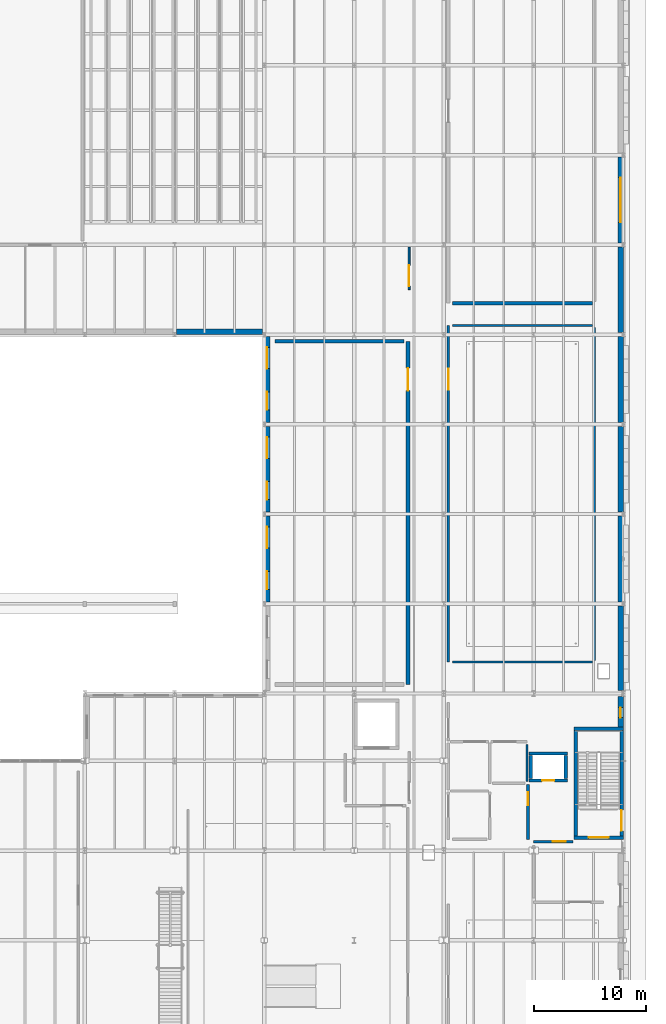
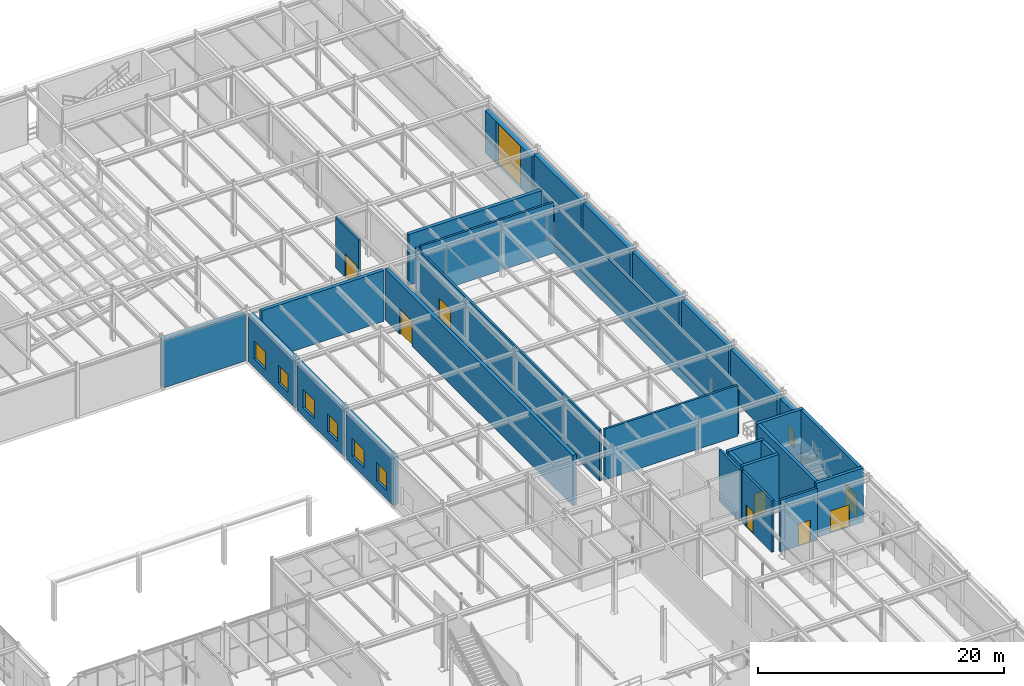
# One storey, part 86 of 129: 30 walls, 9 doors, 7 windows, 16 openings.
"""IFC4 building model written with IfcOpenShell, lengths in metres."""

from ifc_helpers import new_model, si_unit, direction, frame, frame_2d, origin, place, context, subcontext, project, spatial, rectangle, extrude, material, layer, layer_set, type_object, element, fill, save


model = new_model("IFC4")

# Units and contexts
model_context = context("Model", 3, precision=1e-05, world=origin(), true_north=direction((0.0, 1.0)))
body_context = subcontext(model_context, "Body", "Model", "MODEL_VIEW")
ifc_project = project(units=[si_unit("LENGTHUNIT", "METRE"), si_unit("AREAUNIT", "SQUARE_METRE"), si_unit("VOLUMEUNIT", "CUBIC_METRE"), si_unit("PLANEANGLEUNIT", "RADIAN"), si_unit("MASSUNIT", "GRAM", prefix="KILO")], contexts=[model_context])

# Site, building, storey
site_placement = place(None, origin())
site = spatial("IfcSite", under=ifc_project, at=site_placement, CompositionType="ELEMENT")
building_placement = place(site_placement, origin())
building = spatial("IfcBuilding", under=site, at=building_placement, Name="Sundkrona Museum", CompositionType="ELEMENT")
storey_placement = place(building_placement, origin())
storey = spatial("IfcBuildingStorey", under=building, at=storey_placement, Name="L00", CompositionType="ELEMENT", Elevation=0.0)

# Wall, opening, door
ifc_material_1 = material(Name="Concrete C40/50", Category="concrete")
ifc_layer_1 = layer(ifc_material_1, 0.330078125)
ifc_layer_set_1 = layer_set([ifc_layer_1], Name="Concrete C40/50")
wall_type_1 = type_object("IfcWallType", Name="W-ARC-120", PredefinedType="SOLIDWALL", material=ifc_layer_set_1)
wall_1_placement = place(storey_placement, frame((148.800048828125, 46.800048828125, 0.0), z_axis=(0.0, 0.0, 1.0), x_axis=(0.0, 1.0, 0.0)))
wall_1 = element("IfcWall", 1, at=wall_1_placement, inside=storey, type_object=wall_type_1, Name="L00 Partition East Logistics Corridor / Specimen Quarantine", PredefinedType="SOLIDWALL", context=body_context, shape_type="SweptSolid", body=[
    extrude(rectangle(XDim=30.599853515625, YDim=0.330078125, at=frame_2d((15.2998046875, 0.0))), origin(), (0.0, 0.0, 1.0), 5.050048828125),
])
opening_1_placement = place(wall_1_placement, frame((26.199951171875, 0.0, 0.0)))
opening_1 = element("IfcOpeningElement", 2, at=opening_1_placement, cuts=wall_1, Name="Opening D-ARC-120", PredefinedType="OPENING", context=body_context, shape_type="SweptSolid", body=[
    extrude(rectangle(XDim=2.0, YDim=2.5, at=frame_2d((1.0, 1.25))), frame((0.0, 0.175048828125, 0.0), z_axis=(0.0, -1.0, 0.0), x_axis=(1.0, 0.0, 0.0)), (0.0, 0.0, 1.0), 0.35009765625),
])
ifc_material_2 = material(Name="Insulated Steel Vault Door", Category="steel")
door_type_1 = type_object("IfcDoorType", Name="D-ARC-120", OperationType="DOUBLE_DOOR_SINGLE_SWING", PredefinedType="DOOR", material=ifc_material_2)
door_1_placement = place(opening_1_placement, origin())
door_1 = element("IfcDoor", 3, at=door_1_placement, inside=storey, type_object=door_type_1, Name="L00 Interior Door DR-ADJ-L00-0049", OperationType="DOUBLE_DOOR_SINGLE_SWING", OverallHeight=2.5, OverallWidth=2.0, PredefinedType="DOOR", context=body_context, shape_type="SweptSolid", body=[
    extrude(rectangle(XDim=2.0, YDim=2.5, at=frame_2d((1.0, 1.25))), frame((0.0, 0.02490234375, 0.0), z_axis=(0.0, -1.0, 0.0), x_axis=(1.0, 0.0, 0.0)), (0.0, 0.0, 1.0), 0.050048828125),
])
fill(opening_1, door_1)

# Walls
wall_2_placement = place(storey_placement, frame((136.949951171875, 77.39990234375, 0.0), z_axis=(0.0, 0.0, 1.0), x_axis=(1.0, 0.0, 0.0)))
element("IfcWall", 4, at=wall_2_placement, inside=storey, type_object=wall_type_1, Name="L00 Specimen Quarantine Enclosure Wall N", PredefinedType="SOLIDWALL", context=body_context, shape_type="SweptSolid", body=[
    extrude(rectangle(XDim=11.5, YDim=0.330078125, at=frame_2d((5.75, 0.0))), origin(), (0.0, 0.0, 1.0), 5.050048828125),
])
wall_3_placement = place(storey_placement, frame((152.75, 80.800048828125, 0.0), z_axis=(0.0, 0.0, 1.0), x_axis=(1.0, 0.0, 0.0)))
element("IfcWall", 5, at=wall_3_placement, inside=storey, type_object=wall_type_1, Name="L00 Loading Dock Enclosure Wall S", PredefinedType="SOLIDWALL", context=body_context, shape_type="SweptSolid", body=[
    extrude(rectangle(XDim=12.5, YDim=0.330078125, at=frame_2d((6.25, 0.0))), origin(), (0.0, 0.0, 1.0), 5.050048828125),
])

# Wall, opening, door
ifc_layer_2 = layer(ifc_material_1, 0.300048828125)
ifc_layer_set_2 = layer_set([ifc_layer_2], Name="Concrete C40/50")
wall_type_2 = type_object("IfcWallType", Name="W-CORE-300", PredefinedType="SHEAR", material=ifc_layer_set_2)
wall_4_placement = place(storey_placement, frame((163.60009765625, 33.14990234375, 0.0), z_axis=(0.0, 0.0, 1.0), x_axis=(1.0, 0.0, 0.0)))
wall_4 = element("IfcWall", 6, at=wall_4_placement, inside=storey, type_object=wall_type_2, Name="L00 ST-1 Core Shear Wall South", PredefinedType="SHEAR", context=body_context, shape_type="SweptSolid", body=[
    extrude(rectangle(XDim=4.39990234375, YDim=0.300048828125, at=frame_2d((2.199951171875, 0.0))), origin(), (0.0, 0.0, 1.0), 5.39990234375),
])
opening_2_placement = place(wall_4_placement, frame((1.300048828125, 0.0, 0.0)))
opening_2 = element("IfcOpeningElement", 7, at=opening_2_placement, cuts=wall_4, Name="Opening D-FD60", PredefinedType="OPENING", context=body_context, shape_type="SweptSolid", body=[
    extrude(rectangle(XDim=1.800048828125, YDim=2.199951171875, at=frame_2d((0.89990234375, 1.10009765625))), frame((0.0, 0.159912109375, 0.0), z_axis=(0.0, -1.0, 0.0), x_axis=(1.0, 0.0, 0.0)), (0.0, 0.0, 1.0), 0.320068359375),
])
ifc_material_3 = material(Name="Steel S355J2 Fire Door Leaf", Category="steel")
door_type_2 = type_object("IfcDoorType", Name="D-FD60", OperationType="DOUBLE_DOOR_SINGLE_SWING", PredefinedType="DOOR", material=ifc_material_3)
door_2_placement = place(opening_2_placement, origin())
door_2 = element("IfcDoor", 8, at=door_2_placement, inside=storey, type_object=door_type_2, Name="L00 ST-1 Protected Escape Stair Door DR-ST-1-L00", OperationType="DOUBLE_DOOR_SINGLE_SWING", OverallHeight=2.199951171875, OverallWidth=1.800048828125, PredefinedType="DOOR", context=body_context, shape_type="SweptSolid", body=[
    extrude(rectangle(XDim=1.800048828125, YDim=2.199951171875, at=frame_2d((0.89990234375, 1.10009765625))), frame((0.0, 0.02490234375, 0.0), z_axis=(0.0, -1.0, 0.0), x_axis=(1.0, 0.0, 0.0)), (0.0, 0.0, 1.0), 0.050048828125),
])
fill(opening_2, door_2)

# Walls
wall_5_placement = place(storey_placement, frame((163.60009765625, 42.85009765625, 0.0), z_axis=(0.0, 0.0, 1.0), x_axis=(1.0, 0.0, 0.0)))
element("IfcWall", 9, at=wall_5_placement, inside=storey, type_object=wall_type_2, Name="L00 ST-1 Core Shear Wall North", PredefinedType="SHEAR", context=body_context, shape_type="SweptSolid", body=[
    extrude(rectangle(XDim=4.39990234375, YDim=0.300048828125, at=frame_2d((2.199951171875, 0.0))), origin(), (0.0, 0.0, 1.0), 5.39990234375),
])
wall_6_placement = place(storey_placement, frame((163.75, 33.31005859375, 0.0), z_axis=(0.0, 0.0, 1.0), x_axis=(0.0, 1.0, 0.0)))
element("IfcWall", 10, at=wall_6_placement, inside=storey, type_object=wall_type_2, Name="L00 ST-1 Core Shear Wall West", PredefinedType="SHEAR", context=body_context, shape_type="SweptSolid", body=[
    extrude(rectangle(XDim=9.3798828125, YDim=0.300048828125, at=frame_2d((4.68994140625, 0.0))), origin(), (0.0, 0.0, 1.0), 5.39990234375),
])

# Wall, opening, door
wall_7_placement = place(storey_placement, frame((167.85009765625, 33.31005859375, 0.0), z_axis=(0.0, 0.0, 1.0), x_axis=(0.0, 1.0, 0.0)))
wall_7 = element("IfcWall", 11, at=wall_7_placement, inside=storey, type_object=wall_type_2, Name="L00 ST-1 Core Shear Wall East", PredefinedType="SHEAR", context=body_context, shape_type="SweptSolid", body=[
    extrude(rectangle(XDim=9.3798828125, YDim=0.300048828125, at=frame_2d((4.68994140625, 0.0))), origin(), (0.0, 0.0, 1.0), 5.39990234375),
])
opening_3_placement = place(wall_7_placement, frame((0.449951171875, 0.0, 0.0)))
opening_3 = element("IfcOpeningElement", 12, at=opening_3_placement, cuts=wall_7, Name="Opening D-EX-185", PredefinedType="OPENING", context=body_context, shape_type="SweptSolid", body=[
    extrude(rectangle(XDim=1.85009765625, YDim=2.300048828125, at=frame_2d((0.925048828125, 1.14990234375))), frame((0.0, 0.159912109375, 0.0), z_axis=(0.0, -1.0, 0.0), x_axis=(1.0, 0.0, 0.0)), (0.0, 0.0, 1.0), 0.320068359375),
])
ifc_material_4 = material(Name="Thermally Broken Aluminium Exit Door", Category="aluminium")
door_type_3 = type_object("IfcDoorType", Name="D-EX-185", OperationType="DOUBLE_DOOR_SINGLE_SWING", PredefinedType="DOOR", material=ifc_material_4)
door_3_placement = place(opening_3_placement, origin())
door_3 = element("IfcDoor", 13, at=door_3_placement, inside=storey, type_object=door_type_3, Name="Core 1 ST-1 Street Discharge Door FE-5 DR-ST1-EXIT", OperationType="DOUBLE_DOOR_SINGLE_SWING", OverallHeight=2.300048828125, OverallWidth=1.85009765625, PredefinedType="DOOR", context=body_context, shape_type="SweptSolid", body=[
    extrude(rectangle(XDim=1.85009765625, YDim=2.300048828125, at=frame_2d((0.925048828125, 1.14990234375))), frame((0.0, 0.02490234375, 0.0), z_axis=(0.0, -1.0, 0.0), x_axis=(1.0, 0.0, 0.0)), (0.0, 0.0, 1.0), 0.050048828125),
])
fill(opening_3, door_3)

wall_8_placement = place(storey_placement, frame((159.60009765625, 38.25, 0.0), z_axis=(0.0, 0.0, 1.0), x_axis=(1.0, 0.0, 0.0)))
wall_8 = element("IfcWall", 14, at=wall_8_placement, inside=storey, type_object=wall_type_2, Name="L00 PL-1 Lift Shaft Wall South", PredefinedType="SHEAR", context=body_context, shape_type="SweptSolid", body=[
    extrude(rectangle(XDim=3.39990234375, YDim=0.300048828125, at=frame_2d((1.699951171875, 0.0))), origin(), (0.0, 0.0, 1.0), 5.39990234375),
])
opening_4_placement = place(wall_8_placement, frame((1.14990234375, 0.0, 0.0)))
opening_4 = element("IfcOpeningElement", 15, at=opening_4_placement, cuts=wall_8, Name="Opening LD-01", PredefinedType="OPENING", context=body_context, shape_type="SweptSolid", body=[
    extrude(rectangle(XDim=1.10009765625, YDim=2.14990234375, at=frame_2d((0.550048828125, 1.074951171875))), frame((0.0, 0.159912109375, 0.0), z_axis=(0.0, -1.0, 0.0), x_axis=(1.0, 0.0, 0.0)), (0.0, 0.0, 1.0), 0.320068359375),
])
ifc_material_5 = material(Name="Brushed Stainless Steel Lift Door", Category="steel")
door_type_4 = type_object("IfcDoorType", Name="LD-01", OperationType="SLIDING_TO_LEFT", PredefinedType="DOOR", material=ifc_material_5)
door_4_placement = place(opening_4_placement, origin())
door_4 = element("IfcDoor", 16, at=door_4_placement, inside=storey, type_object=door_type_4, Name="L00 Firefighters Passenger Lift PL-1 Landing Door DR-LIFT-PL-1-L00", OperationType="SLIDING_TO_LEFT", OverallHeight=2.14990234375, OverallWidth=1.10009765625, PredefinedType="DOOR", context=body_context, shape_type="SweptSolid", body=[
    extrude(rectangle(XDim=1.10009765625, YDim=2.14990234375, at=frame_2d((0.550048828125, 1.074951171875))), frame((0.0, 0.02490234375, 0.0), z_axis=(0.0, -1.0, 0.0), x_axis=(1.0, 0.0, 0.0)), (0.0, 0.0, 1.0), 0.050048828125),
])
fill(opening_4, door_4)

# Walls
wall_9_placement = place(storey_placement, frame((159.60009765625, 40.64990234375, 0.0), z_axis=(0.0, 0.0, 1.0), x_axis=(1.0, 0.0, 0.0)))
element("IfcWall", 17, at=wall_9_placement, inside=storey, type_object=wall_type_2, Name="L00 PL-1 Lift Shaft Wall North", PredefinedType="SHEAR", context=body_context, shape_type="SweptSolid", body=[
    extrude(rectangle(XDim=3.39990234375, YDim=0.300048828125, at=frame_2d((1.699951171875, 0.0))), origin(), (0.0, 0.0, 1.0), 5.39990234375),
])
for number, where, z_axis, x_axis, name in (
    (18, (159.75, 38.409912109375, 0.0), (0.0, 0.0, 1.0), (0.0, 1.0, 0.0), "L00 PL-1 Lift Shaft Wall West"),
    (19, (162.85009765625, 38.409912109375, 0.0), (0.0, 0.0, 1.0), (0.0, 1.0, 0.0), "L00 PL-1 Lift Shaft Wall East"),
):
    element("IfcWall", number, at=place(storey_placement, frame(where, z_axis=z_axis, x_axis=x_axis)), inside=storey, type_object=wall_type_2, Name=name, PredefinedType="SHEAR", context=body_context, shape_type="SweptSolid", body=[
        extrude(rectangle(XDim=2.080078125, YDim=0.300048828125, at=frame_2d((1.0400390625, 0.0))), origin(), (0.0, 0.0, 1.0), 5.39990234375),
    ])

# Wall, opening, door
ifc_material_6 = material(Name="Autoclaved Aerated Masonry 225 mm", Category="masonry")
ifc_layer_3 = layer(ifc_material_6, 0.22509765625)
ifc_layer_set_3 = layer_set([ifc_layer_3], Name="Autoclaved Aerated Masonry 225 mm")
wall_type_3 = type_object("IfcWallType", Name="W-FF-225", PredefinedType="SOLIDWALL", material=ifc_layer_set_3)
wall_10_placement = place(storey_placement, frame((160.0, 32.800048828125, 0.0), z_axis=(0.0, 0.0, 1.0), x_axis=(1.0, 0.0, 0.0)))
wall_10 = element("IfcWall", 20, at=wall_10_placement, inside=storey, type_object=wall_type_3, Name="L00 Partition Firefighting Lobby / Fire Control Room", PredefinedType="SOLIDWALL", context=body_context, shape_type="SweptSolid", body=[
    extrude(rectangle(XDim=3.5, YDim=0.22509765625, at=frame_2d((1.75, 0.0))), origin(), (0.0, 0.0, 1.0), 5.159912109375),
])
opening_5_placement = place(wall_10_placement, frame((1.699951171875, 0.0, 0.0)))
opening_5 = element("IfcOpeningElement", 21, at=opening_5_placement, cuts=wall_10, Name="Opening D-FF60", PredefinedType="OPENING", context=body_context, shape_type="SweptSolid", body=[
    extrude(rectangle(XDim=1.14990234375, YDim=2.199951171875, at=frame_2d((0.574951171875, 1.10009765625))), frame((0.0, 0.12255859375, 0.0), z_axis=(0.0, -1.0, 0.0), x_axis=(1.0, 0.0, 0.0)), (0.0, 0.0, 1.0), 0.2451171875),
])
door_type_5 = type_object("IfcDoorType", Name="D-FF60", OperationType="NOTDEFINED", PredefinedType="DOOR", material=ifc_material_3)
door_5_placement = place(opening_5_placement, origin())
door_5 = element("IfcDoor", 22, at=door_5_placement, inside=storey, type_object=door_type_5, Name="L00 Interior Door DR-ADJ-L00-0027", OperationType="SINGLE_SWING_LEFT", OverallHeight=2.199951171875, OverallWidth=1.14990234375, PredefinedType="DOOR", context=body_context, shape_type="SweptSolid", body=[
    extrude(rectangle(XDim=1.14990234375, YDim=2.199951171875, at=frame_2d((0.574951171875, 1.10009765625))), frame((0.0, 0.02490234375, 0.0), z_axis=(0.0, -1.0, 0.0), x_axis=(1.0, 0.0, 0.0)), (0.0, 0.0, 1.0), 0.050048828125),
])
fill(opening_5, door_5)

wall_11_placement = place(storey_placement, frame((159.5, 33.0, 0.0), z_axis=(0.0, 0.0, 1.0), x_axis=(0.0, 1.0, 0.0)))
wall_11 = element("IfcWall", 23, at=wall_11_placement, inside=storey, type_object=wall_type_3, Name="L00 Partition Firefighting Lobby / Core 1 Ground Link", PredefinedType="SOLIDWALL", context=body_context, shape_type="SweptSolid", body=[
    extrude(rectangle(XDim=4.89990234375, YDim=0.22509765625, at=frame_2d((2.449951171875, 0.0))), origin(), (0.0, 0.0, 1.0), 5.159912109375),
])
opening_6_placement = place(wall_11_placement, frame((3.05615234375, 0.0, 0.0)))
opening_6 = element("IfcOpeningElement", 24, at=opening_6_placement, cuts=wall_11, Name="Opening D-FF60", PredefinedType="OPENING", context=body_context, shape_type="SweptSolid", body=[
    extrude(rectangle(XDim=1.14990234375, YDim=2.199951171875, at=frame_2d((0.574951171875, 1.10009765625))), frame((0.0, 0.12255859375, 0.0), z_axis=(0.0, -1.0, 0.0), x_axis=(1.0, 0.0, 0.0)), (0.0, 0.0, 1.0), 0.2451171875),
])
door_6_placement = place(opening_6_placement, origin())
door_6 = element("IfcDoor", 25, at=door_6_placement, inside=storey, type_object=door_type_5, Name="L00 Interior Door DR-ADJ-L00-0028", OperationType="SINGLE_SWING_RIGHT", OverallHeight=2.199951171875, OverallWidth=1.14990234375, PredefinedType="DOOR", context=body_context, shape_type="SweptSolid", body=[
    extrude(rectangle(XDim=1.14990234375, YDim=2.199951171875, at=frame_2d((0.574951171875, 1.10009765625))), frame((0.0, 0.02490234375, 0.0), z_axis=(0.0, -1.0, 0.0), x_axis=(1.0, 0.0, 0.0)), (0.0, 0.0, 1.0), 0.050048828125),
])
fill(opening_6, door_6)

# Wall, opening, window
ifc_material_7 = material(Name="Danian Limestone Ashlar Masonry 480 mm", Category="masonry")
ifc_layer_4 = layer(ifc_material_7, 0.47998046875)
ifc_layer_set_4 = layer_set([ifc_layer_4], Name="Danian Limestone Ashlar Masonry 480 mm")
wall_type_4 = type_object("IfcWallType", Name="W-LIM-480", PredefinedType="SOLIDWALL", material=ifc_layer_set_4)
wall_12_placement = place(storey_placement, frame((167.760009765625, 45.748046875, 0.0), z_axis=(0.0, 0.0, 1.0), x_axis=(0.0, -1.0, 0.0)))
wall_12 = element("IfcWall", 26, at=wall_12_placement, inside=storey, type_object=wall_type_4, Name="L00 Facade Wall 0008", PredefinedType="SOLIDWALL", context=body_context, shape_type="SweptSolid", body=[
    extrude(rectangle(XDim=2.887939453125, YDim=0.47998046875, at=frame_2d((1.44384765625, 0.0))), origin(), (0.0, 0.0, 1.0), 4.72509765625),
])
opening_7_placement = place(wall_12_placement, frame((0.993896484375, 0.0, 0.85009765625)))
opening_7 = element("IfcOpeningElement", 27, at=opening_7_placement, cuts=wall_12, Name="Opening WN-ST-090x180", PredefinedType="OPENING", context=body_context, shape_type="SweptSolid", body=[
    extrude(rectangle(XDim=0.89990234375, YDim=1.800048828125, at=frame_2d((0.449951171875, 0.89990234375))), frame((0.0, 0.25, 0.0), z_axis=(0.0, -1.0, 0.0), x_axis=(1.0, 0.0, 0.0)), (0.0, 0.0, 1.0), 0.5),
])
ifc_material_8 = material(Name="Triple Low-E Argon Glazing in Bronze-Anodised Aluminium", Category="aluminium")
window_type_1 = type_object("IfcWindowType", Name="WN-ST-090x180", PartitioningType="SINGLE_PANEL", PredefinedType="WINDOW", material=ifc_material_8)
window_1_placement = place(opening_7_placement, origin())
window_1 = element("IfcWindow", 28, at=window_1_placement, inside=storey, type_object=window_type_1, Name="L00 Stair-core avenue daylight slot window 900x1800 WIN-L00-0007", OverallHeight=1.800048828125, OverallWidth=0.89990234375, PartitioningType="SINGLE_PANEL", PredefinedType="WINDOW", context=body_context, shape_type="SweptSolid", body=[
    extrude(rectangle(XDim=0.89990234375, YDim=1.800048828125, at=frame_2d((0.449951171875, 0.89990234375))), frame((0.0, 0.030029296875, 0.0), z_axis=(0.0, -1.0, 0.0), x_axis=(1.0, 0.0, 0.0)), (0.0, 0.0, 1.0), 0.06005859375),
])
fill(opening_7, window_1)

# Wall
wall_13_placement = place(storey_placement, frame((135.847900390625, 78.239990234375, 0.0), z_axis=(0.0, 0.0, 1.0), x_axis=(-1.0, 0.0, 0.0)))
element("IfcWall", 29, at=wall_13_placement, inside=storey, type_object=wall_type_4, Name="L00 Facade Wall 0273", PredefinedType="SOLIDWALL", context=body_context, shape_type="SweptSolid", body=[
    extrude(rectangle(XDim=7.69580078125, YDim=0.47998046875, at=frame_2d((3.847900390625, 0.0))), origin(), (0.0, 0.0, 1.0), 4.72509765625),
])

# Wall, openings, windows
wall_14_placement = place(storey_placement, frame((136.239990234375, 54.181884765625, 0.0), z_axis=(0.0, 0.0, 1.0), x_axis=(0.0, 1.0, 0.0)))
wall_14 = element("IfcWall", 30, at=wall_14_placement, inside=storey, type_object=wall_type_4, Name="L00 Facade Wall 0275", PredefinedType="SOLIDWALL", context=body_context, shape_type="SweptSolid", body=[
    extrude(rectangle(XDim=7.63623046875, YDim=0.47998046875, at=frame_2d((3.818115234375, 0.0))), origin(), (0.0, 0.0, 1.0), 4.72509765625),
])
opening_8_placement = place(wall_14_placement, frame((1.10888671875, 0.0, 0.85009765625)))
opening_8 = element("IfcOpeningElement", 31, at=opening_8_placement, cuts=wall_14, Name="Opening WN-LB-160x180", PredefinedType="OPENING", context=body_context, shape_type="SweptSolid", body=[
    extrude(rectangle(XDim=1.60009765625, YDim=1.800048828125, at=frame_2d((0.800048828125, 0.89990234375))), frame((0.0, 0.25, 0.0), z_axis=(0.0, -1.0, 0.0), x_axis=(1.0, 0.0, 0.0)), (0.0, 0.0, 1.0), 0.5),
])
opening_9_placement = place(wall_14_placement, frame((4.777099609375, 0.0, 0.85009765625)))
opening_9 = element("IfcOpeningElement", 32, at=opening_9_placement, cuts=wall_14, Name="Opening WN-LB-190x180", PredefinedType="OPENING", context=body_context, shape_type="SweptSolid", body=[
    extrude(rectangle(XDim=1.89990234375, YDim=1.800048828125, at=frame_2d((0.949951171875, 0.89990234375))), frame((0.0, 0.25, 0.0), z_axis=(0.0, -1.0, 0.0), x_axis=(1.0, 0.0, 0.0)), (0.0, 0.0, 1.0), 0.5),
])
window_type_2 = type_object("IfcWindowType", Name="WN-LB-160x180", PartitioningType="DOUBLE_PANEL_VERTICAL", PredefinedType="WINDOW", material=ifc_material_8)
window_2_placement = place(opening_8_placement, origin())
window_2 = element("IfcWindow", 33, at=window_2_placement, inside=storey, type_object=window_type_2, Name="L00 Conservation laboratory deep-reveal window 1600x1800 WIN-L00-0377", OverallHeight=1.800048828125, OverallWidth=1.60009765625, PartitioningType="DOUBLE_PANEL_VERTICAL", PredefinedType="WINDOW", context=body_context, shape_type="SweptSolid", body=[
    extrude(rectangle(XDim=1.60009765625, YDim=1.800048828125, at=frame_2d((0.800048828125, 0.89990234375))), frame((0.0, 0.030029296875, 0.0), z_axis=(0.0, -1.0, 0.0), x_axis=(1.0, 0.0, 0.0)), (0.0, 0.0, 1.0), 0.06005859375),
])
fill(opening_8, window_2)
window_type_3 = type_object("IfcWindowType", Name="WN-LB-190x180", PartitioningType="DOUBLE_PANEL_VERTICAL", PredefinedType="WINDOW", material=ifc_material_8)
window_3_placement = place(opening_9_placement, origin())
window_3 = element("IfcWindow", 34, at=window_3_placement, inside=storey, type_object=window_type_3, Name="L00 Analytical studio bench-height window 1900x1800 WIN-L00-0378", OverallHeight=1.800048828125, OverallWidth=1.89990234375, PartitioningType="DOUBLE_PANEL_VERTICAL", PredefinedType="WINDOW", context=body_context, shape_type="SweptSolid", body=[
    extrude(rectangle(XDim=1.89990234375, YDim=1.800048828125, at=frame_2d((0.949951171875, 0.89990234375))), frame((0.0, 0.030029296875, 0.0), z_axis=(0.0, -1.0, 0.0), x_axis=(1.0, 0.0, 0.0)), (0.0, 0.0, 1.0), 0.06005859375),
])
fill(opening_9, window_3)

wall_15_placement = place(storey_placement, frame((136.239990234375, 62.181884765625, 0.0), z_axis=(0.0, 0.0, 1.0), x_axis=(0.0, 1.0, 0.0)))
wall_15 = element("IfcWall", 35, at=wall_15_placement, inside=storey, type_object=wall_type_4, Name="L00 Facade Wall 0276", PredefinedType="SOLIDWALL", context=body_context, shape_type="SweptSolid", body=[
    extrude(rectangle(XDim=7.63623046875, YDim=0.47998046875, at=frame_2d((3.818115234375, 0.0))), origin(), (0.0, 0.0, 1.0), 4.72509765625),
])
opening_10_placement = place(wall_15_placement, frame((1.10888671875, 0.0, 0.85009765625)))
opening_10 = element("IfcOpeningElement", 36, at=opening_10_placement, cuts=wall_15, Name="Opening WN-LB-160x180", PredefinedType="OPENING", context=body_context, shape_type="SweptSolid", body=[
    extrude(rectangle(XDim=1.60009765625, YDim=1.800048828125, at=frame_2d((0.800048828125, 0.89990234375))), frame((0.0, 0.25, 0.0), z_axis=(0.0, -1.0, 0.0), x_axis=(1.0, 0.0, 0.0)), (0.0, 0.0, 1.0), 0.5),
])
opening_11_placement = place(wall_15_placement, frame((4.777099609375, 0.0, 0.85009765625)))
opening_11 = element("IfcOpeningElement", 37, at=opening_11_placement, cuts=wall_15, Name="Opening WN-LB-190x180", PredefinedType="OPENING", context=body_context, shape_type="SweptSolid", body=[
    extrude(rectangle(XDim=1.89990234375, YDim=1.800048828125, at=frame_2d((0.949951171875, 0.89990234375))), frame((0.0, 0.25, 0.0), z_axis=(0.0, -1.0, 0.0), x_axis=(1.0, 0.0, 0.0)), (0.0, 0.0, 1.0), 0.5),
])
window_4_placement = place(opening_10_placement, origin())
window_4 = element("IfcWindow", 38, at=window_4_placement, inside=storey, type_object=window_type_2, Name="L00 Conservation laboratory deep-reveal window 1600x1800 WIN-L00-0379", OverallHeight=1.800048828125, OverallWidth=1.60009765625, PartitioningType="DOUBLE_PANEL_VERTICAL", PredefinedType="WINDOW", context=body_context, shape_type="SweptSolid", body=[
    extrude(rectangle(XDim=1.60009765625, YDim=1.800048828125, at=frame_2d((0.800048828125, 0.89990234375))), frame((0.0, 0.030029296875, 0.0), z_axis=(0.0, -1.0, 0.0), x_axis=(1.0, 0.0, 0.0)), (0.0, 0.0, 1.0), 0.06005859375),
])
fill(opening_10, window_4)
window_5_placement = place(opening_11_placement, origin())
window_5 = element("IfcWindow", 39, at=window_5_placement, inside=storey, type_object=window_type_3, Name="L00 Analytical studio bench-height window 1900x1800 WIN-L00-0380", OverallHeight=1.800048828125, OverallWidth=1.89990234375, PartitioningType="DOUBLE_PANEL_VERTICAL", PredefinedType="WINDOW", context=body_context, shape_type="SweptSolid", body=[
    extrude(rectangle(XDim=1.89990234375, YDim=1.800048828125, at=frame_2d((0.949951171875, 0.89990234375))), frame((0.0, 0.030029296875, 0.0), z_axis=(0.0, -1.0, 0.0), x_axis=(1.0, 0.0, 0.0)), (0.0, 0.0, 1.0), 0.06005859375),
])
fill(opening_11, window_5)

wall_16_placement = place(storey_placement, frame((136.239990234375, 70.181884765625, 0.0), z_axis=(0.0, 0.0, 1.0), x_axis=(0.0, 1.0, 0.0)))
wall_16 = element("IfcWall", 40, at=wall_16_placement, inside=storey, type_object=wall_type_4, Name="L00 Facade Wall 0277", PredefinedType="SOLIDWALL", context=body_context, shape_type="SweptSolid", body=[
    extrude(rectangle(XDim=7.63623046875, YDim=0.47998046875, at=frame_2d((3.818115234375, 0.0))), origin(), (0.0, 0.0, 1.0), 4.72509765625),
])
opening_12_placement = place(wall_16_placement, frame((1.10888671875, 0.0, 0.85009765625)))
opening_12 = element("IfcOpeningElement", 41, at=opening_12_placement, cuts=wall_16, Name="Opening WN-LB-160x180", PredefinedType="OPENING", context=body_context, shape_type="SweptSolid", body=[
    extrude(rectangle(XDim=1.60009765625, YDim=1.800048828125, at=frame_2d((0.800048828125, 0.89990234375))), frame((0.0, 0.25, 0.0), z_axis=(0.0, -1.0, 0.0), x_axis=(1.0, 0.0, 0.0)), (0.0, 0.0, 1.0), 0.5),
])
opening_13_placement = place(wall_16_placement, frame((4.777099609375, 0.0, 0.85009765625)))
opening_13 = element("IfcOpeningElement", 42, at=opening_13_placement, cuts=wall_16, Name="Opening WN-LB-190x180", PredefinedType="OPENING", context=body_context, shape_type="SweptSolid", body=[
    extrude(rectangle(XDim=1.89990234375, YDim=1.800048828125, at=frame_2d((0.949951171875, 0.89990234375))), frame((0.0, 0.25, 0.0), z_axis=(0.0, -1.0, 0.0), x_axis=(1.0, 0.0, 0.0)), (0.0, 0.0, 1.0), 0.5),
])
window_6_placement = place(opening_12_placement, origin())
window_6 = element("IfcWindow", 43, at=window_6_placement, inside=storey, type_object=window_type_2, Name="L00 Conservation laboratory deep-reveal window 1600x1800 WIN-L00-0381", OverallHeight=1.800048828125, OverallWidth=1.60009765625, PartitioningType="DOUBLE_PANEL_VERTICAL", PredefinedType="WINDOW", context=body_context, shape_type="SweptSolid", body=[
    extrude(rectangle(XDim=1.60009765625, YDim=1.800048828125, at=frame_2d((0.800048828125, 0.89990234375))), frame((0.0, 0.030029296875, 0.0), z_axis=(0.0, -1.0, 0.0), x_axis=(1.0, 0.0, 0.0)), (0.0, 0.0, 1.0), 0.06005859375),
])
fill(opening_12, window_6)
window_7_placement = place(opening_13_placement, origin())
window_7 = element("IfcWindow", 44, at=window_7_placement, inside=storey, type_object=window_type_3, Name="L00 Analytical studio bench-height window 1900x1800 WIN-L00-0382", OverallHeight=1.800048828125, OverallWidth=1.89990234375, PartitioningType="DOUBLE_PANEL_VERTICAL", PredefinedType="WINDOW", context=body_context, shape_type="SweptSolid", body=[
    extrude(rectangle(XDim=1.89990234375, YDim=1.800048828125, at=frame_2d((0.949951171875, 0.89990234375))), frame((0.0, 0.030029296875, 0.0), z_axis=(0.0, -1.0, 0.0), x_axis=(1.0, 0.0, 0.0)), (0.0, 0.0, 1.0), 0.06005859375),
])
fill(opening_13, window_7)

# Walls
wall_17_placement = place(storey_placement, frame((167.760009765625, 53.818115234375, 0.0), z_axis=(0.0, 0.0, 1.0), x_axis=(0.0, -1.0, 0.0)))
element("IfcWall", 45, at=wall_17_placement, inside=storey, type_object=wall_type_4, Name="L00 Facade Wall 0315", PredefinedType="SOLIDWALL", context=body_context, shape_type="SweptSolid", body=[
    extrude(rectangle(XDim=7.566162109375, YDim=0.47998046875, at=frame_2d((3.783203125, 0.0))), origin(), (0.0, 0.0, 1.0), 4.72509765625),
])
for number, where, z_axis, x_axis, name in (
    (46, (167.760009765625, 61.818115234375, 0.0), (0.0, 0.0, 1.0), (0.0, -1.0, 0.0), "L00 Facade Wall 0316"),
    (47, (167.760009765625, 69.818115234375, 0.0), (0.0, 0.0, 1.0), (0.0, -1.0, 0.0), "L00 Facade Wall 0317"),
    (48, (167.760009765625, 77.818115234375, 0.0), (0.0, 0.0, 1.0), (0.0, -1.0, 0.0), "L00 Facade Wall 0318"),
    (49, (167.760009765625, 85.818115234375, 0.0), (0.0, 0.0, 1.0), (0.0, -1.0, 0.0), "L00 Facade Wall 0319"),
):
    element("IfcWall", number, at=place(storey_placement, frame(where, z_axis=z_axis, x_axis=x_axis)), inside=storey, type_object=wall_type_4, Name=name, PredefinedType="SOLIDWALL", context=body_context, shape_type="SweptSolid", body=[
        extrude(rectangle(XDim=7.63623046875, YDim=0.47998046875, at=frame_2d((3.818115234375, 0.0))), origin(), (0.0, 0.0, 1.0), 4.72509765625),
    ])

# Wall, opening, door
wall_18_placement = place(storey_placement, frame((167.760009765625, 93.818115234375, 0.0), z_axis=(0.0, 0.0, 1.0), x_axis=(0.0, -1.0, 0.0)))
wall_18 = element("IfcWall", 50, at=wall_18_placement, inside=storey, type_object=wall_type_4, Name="L00 Facade Wall 0320", PredefinedType="SOLIDWALL", context=body_context, shape_type="SweptSolid", body=[
    extrude(rectangle(XDim=7.63623046875, YDim=0.47998046875, at=frame_2d((3.818115234375, 0.0))), origin(), (0.0, 0.0, 1.0), 4.22998046875),
])
opening_14_placement = place(wall_18_placement, frame((1.818115234375, 0.0, 0.0)))
opening_14 = element("IfcOpeningElement", 51, at=opening_14_placement, cuts=wall_18, Name="Opening D-SH-400", PredefinedType="OPENING", context=body_context, shape_type="SweptSolid", body=[
    extrude(rectangle(XDim=4.0, YDim=4.199951171875, at=frame_2d((2.0, 2.10009765625))), frame((0.0, 0.25, 0.0), z_axis=(0.0, -1.0, 0.0), x_axis=(1.0, 0.0, 0.0)), (0.0, 0.0, 1.0), 0.5),
])
ifc_material_9 = material(Name="Insulated Galvanised Steel Shutter", Category="steel")
door_type_6 = type_object("IfcDoorType", Name="D-SH-400", OperationType="ROLLINGUP", PredefinedType="DOOR", material=ifc_material_9)
door_7_placement = place(opening_14_placement, origin())
door_7 = element("IfcDoor", 52, at=door_7_placement, inside=storey, type_object=door_type_6, Name="L00 Exterior Door D-SH-400 DR-DOCK-SHUTTER", OperationType="ROLLINGUP", OverallHeight=4.199951171875, OverallWidth=4.0, PredefinedType="DOOR", context=body_context, shape_type="SweptSolid", body=[
    extrude(rectangle(XDim=4.0, YDim=4.199951171875, at=frame_2d((2.0, 2.10009765625))), frame((0.0, 0.02490234375, 0.0), z_axis=(0.0, -1.0, 0.0), x_axis=(1.0, 0.0, 0.0)), (0.0, 0.0, 1.0), 0.050048828125),
])
fill(opening_14, door_7)

ifc_material_10 = material(Name="Fire-rated Gypsum Partition Board 175 mm", Category="other")
ifc_layer_5 = layer(ifc_material_10, 0.175048828125)
ifc_layer_set_5 = layer_set([ifc_layer_5], Name="Fire-rated Gypsum Partition Board 175 mm")
wall_type_5 = type_object("IfcWallType", Name="W-PT-175", PredefinedType="PARTITIONING", material=ifc_layer_set_5)
wall_19_placement = place(storey_placement, frame((148.89990234375, 82.0, 0.0), z_axis=(0.0, 0.0, 1.0), x_axis=(0.0, 1.0, 0.0)))
wall_19 = element("IfcWall", 53, at=wall_19_placement, inside=storey, type_object=wall_type_5, Name="L00 Partition East Logistics Corridor / Auditorium South Corridor", PredefinedType="PARTITIONING", context=body_context, shape_type="SweptSolid", body=[
    extrude(rectangle(XDim=3.800048828125, YDim=0.175048828125, at=frame_2d((1.89990234375, 0.0))), origin(), (0.0, 0.0, 1.0), 5.050048828125),
])
opening_15_placement = place(wall_19_placement, frame((0.300048828125, 0.0, 0.0)))
opening_15 = element("IfcOpeningElement", 54, at=opening_15_placement, cuts=wall_19, Name="Opening D-AUD-190", PredefinedType="OPENING", context=body_context, shape_type="SweptSolid", body=[
    extrude(rectangle(XDim=1.89990234375, YDim=2.35009765625, at=frame_2d((0.949951171875, 1.175048828125))), frame((0.0, 0.097412109375, 0.0), z_axis=(0.0, -1.0, 0.0), x_axis=(1.0, 0.0, 0.0)), (0.0, 0.0, 1.0), 0.195068359375),
])
ifc_material_11 = material(Name="Acoustic Oak Fire Door", Category="other")
door_type_7 = type_object("IfcDoorType", Name="D-AUD-190", OperationType="DOUBLE_DOOR_SINGLE_SWING", PredefinedType="DOOR", material=ifc_material_11)
door_8_placement = place(opening_15_placement, origin())
door_8 = element("IfcDoor", 55, at=door_8_placement, inside=storey, type_object=door_type_7, Name="L00 Interior Door DR-ADJ-L00-0046", OperationType="DOUBLE_DOOR_SINGLE_SWING", OverallHeight=2.35009765625, OverallWidth=1.89990234375, PredefinedType="DOOR", context=body_context, shape_type="SweptSolid", body=[
    extrude(rectangle(XDim=1.89990234375, YDim=2.35009765625, at=frame_2d((0.949951171875, 1.175048828125))), frame((0.0, 0.02490234375, 0.0), z_axis=(0.0, -1.0, 0.0), x_axis=(1.0, 0.0, 0.0)), (0.0, 0.0, 1.0), 0.050048828125),
])
fill(opening_15, door_8)

ifc_material_12 = material(Name="Moisture-resistant Tile Partition 200 mm", Category="other")
ifc_layer_6 = layer(ifc_material_12, 0.199951171875)
ifc_layer_set_6 = layer_set([ifc_layer_6], Name="Moisture-resistant Tile Partition 200 mm")
wall_type_6 = type_object("IfcWallType", Name="W-PT-200", PredefinedType="PARTITIONING", material=ifc_layer_set_6)
wall_20_placement = place(storey_placement, frame((152.39990234375, 48.800048828125, 0.0), z_axis=(0.0, 0.0, 1.0), x_axis=(0.0, 1.0, 0.0)))
wall_20 = element("IfcWall", 56, at=wall_20_placement, inside=storey, type_object=wall_type_6, Name="L00 Partition East Logistics Corridor / Art Registrar Unpacking Room", PredefinedType="PARTITIONING", context=body_context, shape_type="SweptSolid", body=[
    extrude(rectangle(XDim=30.0, YDim=0.199951171875, at=frame_2d((15.0, 0.0))), origin(), (0.0, 0.0, 1.0), 5.050048828125),
])
opening_16_placement = place(wall_20_placement, frame((24.2744140625, 0.0, 0.0)))
opening_16 = element("IfcOpeningElement", 57, at=opening_16_placement, cuts=wall_20, Name="Opening D-AUD-190", PredefinedType="OPENING", context=body_context, shape_type="SweptSolid", body=[
    extrude(rectangle(XDim=1.89990234375, YDim=2.35009765625, at=frame_2d((0.949951171875, 1.175048828125))), frame((0.0, 0.10986328125, 0.0), z_axis=(0.0, -1.0, 0.0), x_axis=(1.0, 0.0, 0.0)), (0.0, 0.0, 1.0), 0.219970703125),
])
door_9_placement = place(opening_16_placement, origin())
door_9 = element("IfcDoor", 58, at=door_9_placement, inside=storey, type_object=door_type_7, Name="L00 Interior Door DR-ADJ-L00-0051", OperationType="DOUBLE_DOOR_SINGLE_SWING", OverallHeight=2.35009765625, OverallWidth=1.89990234375, PredefinedType="DOOR", context=body_context, shape_type="SweptSolid", body=[
    extrude(rectangle(XDim=1.89990234375, YDim=2.35009765625, at=frame_2d((0.949951171875, 1.175048828125))), frame((0.0, 0.02490234375, 0.0), z_axis=(0.0, -1.0, 0.0), x_axis=(1.0, 0.0, 0.0)), (0.0, 0.0, 1.0), 0.050048828125),
])
fill(opening_16, door_9)

# Walls
wall_21_placement = place(storey_placement, frame((159.39990234375, 38.14990234375, 0.0), z_axis=(0.0, 0.0, 1.0), x_axis=(0.0, 1.0, 0.0)))
element("IfcWall", 59, at=wall_21_placement, inside=storey, type_object=wall_type_6, Name="L00 Accessible WC Enclosure Wall E", PredefinedType="PARTITIONING", context=body_context, shape_type="SweptSolid", body=[
    extrude(rectangle(XDim=3.300048828125, YDim=0.199951171875, at=frame_2d((1.64990234375, 0.0))), origin(), (0.0, 0.0, 1.0), 5.159912109375),
])
for number, where, z_axis, x_axis, name in (
    (60, (152.75, 48.800048828125, 0.0), (0.0, 0.0, 1.0), (1.0, 0.0, 0.0), "L00 Art Registrar Unpacking Room Enclosure Wall S"),
    (61, (152.75, 78.800048828125, 0.0), (0.0, 0.0, 1.0), (1.0, 0.0, 0.0), "L00 Art Registrar Unpacking Room Enclosure Wall N"),
):
    element("IfcWall", number, at=place(storey_placement, frame(where, z_axis=z_axis, x_axis=x_axis)), inside=storey, type_object=wall_type_6, Name=name, PredefinedType="PARTITIONING", context=body_context, shape_type="SweptSolid", body=[
        extrude(rectangle(XDim=12.5, YDim=0.199951171875, at=frame_2d((6.25, 0.0))), origin(), (0.0, 0.0, 1.0), 5.050048828125),
    ])
wall_22_placement = place(storey_placement, frame((165.39990234375, 48.949951171875, 0.0), z_axis=(0.0, 0.0, 1.0), x_axis=(0.0, 1.0, 0.0)))
element("IfcWall", 62, at=wall_22_placement, inside=storey, type_object=wall_type_6, Name="L00 Art Registrar Unpacking Room Enclosure Wall E", PredefinedType="PARTITIONING", context=body_context, shape_type="SweptSolid", body=[
    extrude(rectangle(XDim=29.699951171875, YDim=0.199951171875, at=frame_2d((14.85009765625, 0.0))), origin(), (0.0, 0.0, 1.0), 4.719970703125),
])

save(model, "model.ifc")
